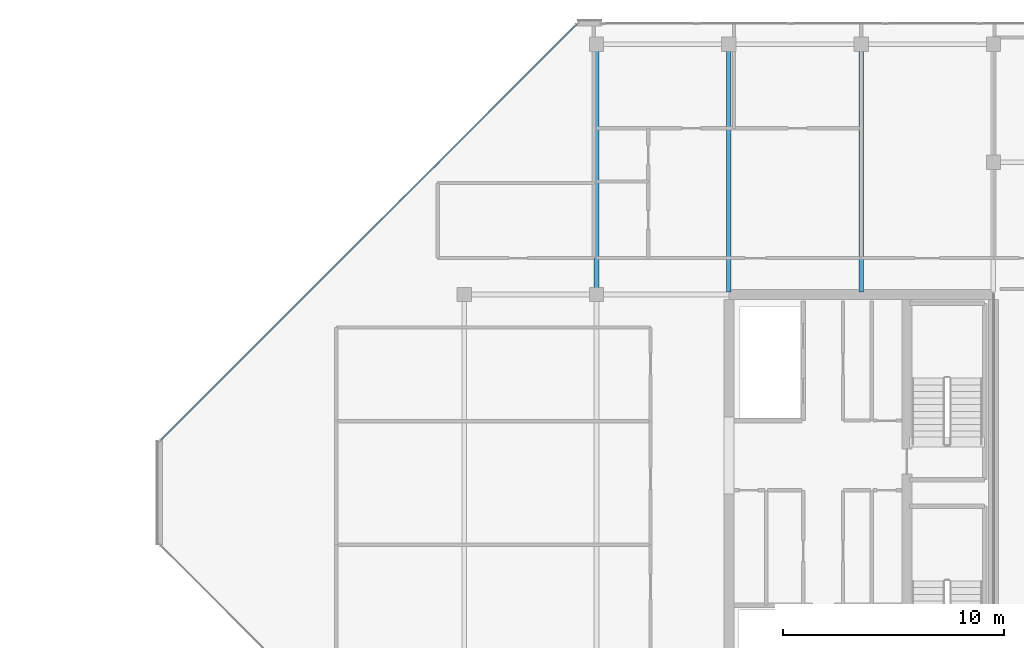
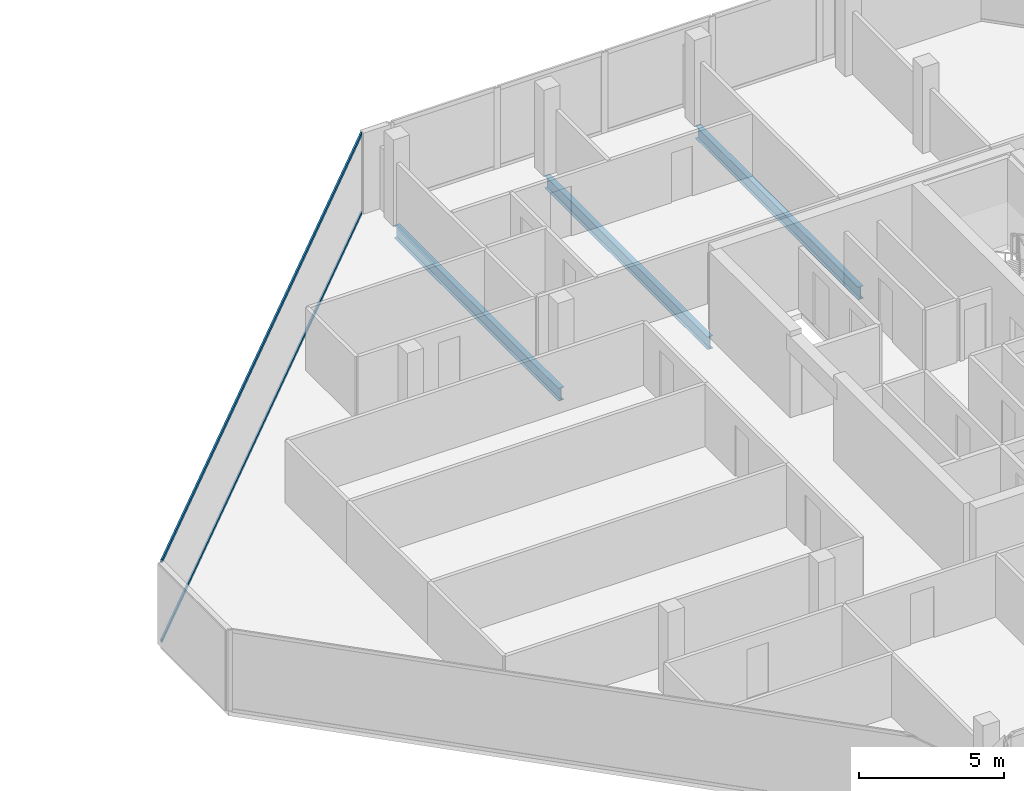
# One storey, part 14 of 30: 3 beams, 2 members, 1 element without a shape of its own.
"""IFC4 building model written with IfcOpenShell, lengths in metres."""

import ifcopenshell
import ifcopenshell.guid

model = None  # the IFC model being written
_history = None  # IfcOwnerHistory: only IFC2X3 demands one
_inside = {}  # id of a spatial element -> (the spatial element, [elements in it])
_under = {}  # id of a project, library or spatial element -> (it, [spatial elements below it])
_declared = {}  # id of a project -> (the project, [libraries it declares])
_typed = {}  # id of a type object -> (the type object, [elements of that type])
_made_of = {}  # id of a material, layer set ... -> (it, [elements and type objects made of it])


def new_model(schema):
    """Start an empty IFC model of exactly this schema.

    Asked for "IFC4X3", IfcOpenShell would pick the latest addendum, in which some entities
    have other attributes; the version numbers below select the first issue.
    IFC2X3 requires an IfcOwnerHistory on every rooted entity: one is made here for all.
    """
    global model, _history
    if schema == "IFC4X3":
        model = ifcopenshell.file(schema_version=(4, 3, 0, 0))
    else:
        model = ifcopenshell.file(schema=schema)
    _inside.clear()
    _under.clear()
    _declared.clear()
    _typed.clear()
    _made_of.clear()
    _history = None
    if model.schema == "IFC2X3":
        org = make("IfcOrganization", Name="unknown")
        user = make(
            "IfcPersonAndOrganization",
            ThePerson=make("IfcPerson", FamilyName="unknown"),
            TheOrganization=org,
        )
        app = make(
            "IfcApplication",
            ApplicationDeveloper=org,
            Version="unknown",
            ApplicationFullName="unknown",
            ApplicationIdentifier="unknown",
        )
        _history = make(
            "IfcOwnerHistory",
            OwningUser=user,
            OwningApplication=app,
            ChangeAction="ADDED",
            CreationDate=0,
        )
    return model


def make(cls, **values):
    """One entity of the class cls with the attributes given. An attribute that is None is left unset."""
    return model.create_entity(
        cls, **{name: value for name, value in values.items() if value is not None}
    )


def rooted(cls, **values):
    """An entity with a GlobalId (a new one), such as an element, a storey or a relation."""
    return make(cls, GlobalId=ifcopenshell.guid.new(), OwnerHistory=_history, **values)


def si_unit(unit_type, name, prefix=None):
    """IfcSIUnit, for example si_unit("LENGTHUNIT", "METRE", prefix="MILLI")."""
    return make("IfcSIUnit", UnitType=unit_type, Prefix=prefix, Name=name)


def assignment(units):
    """IfcUnitAssignment: the units of a project."""
    return None if units is None else make("IfcUnitAssignment", Units=units)


def point(xyz):
    """IfcCartesianPoint."""
    return None if xyz is None else make("IfcCartesianPoint", Coordinates=xyz)


def direction(xyz):
    """IfcDirection."""
    return None if xyz is None else make("IfcDirection", DirectionRatios=xyz)


def frame(location, z_axis=None, x_axis=None):
    """IfcAxis2Placement3D, a coordinate frame: its origin and axes. An axis left out is left unset."""
    return make(
        "IfcAxis2Placement3D",
        Location=point(location),
        Axis=direction(z_axis),
        RefDirection=direction(x_axis),
    )


def frame_2d(location, x_axis=None):
    """IfcAxis2Placement2D, a coordinate frame in the plane: its origin and x axis."""
    return make(
        "IfcAxis2Placement2D", Location=point(location), RefDirection=direction(x_axis)
    )


def origin():
    """The frame at (0, 0, 0) with its axes left unset."""
    return frame((0.0, 0.0, 0.0))


def origin_2d():
    """The frame at (0, 0) in the plane with its x axis left unset."""
    return frame_2d((0.0, 0.0))


def place(relative_to, where):
    """IfcLocalPlacement: puts the frame where relative to a parent placement (None: the world)."""
    return make(
        "IfcLocalPlacement", PlacementRelTo=relative_to, RelativePlacement=where
    )


def context(
    kind, dimensions, precision=None, world=None, true_north=None, identifier=None
):
    """IfcGeometricRepresentationContext, for example the 3D "Model" context."""
    return make(
        "IfcGeometricRepresentationContext",
        ContextIdentifier=identifier,
        ContextType=kind,
        CoordinateSpaceDimension=dimensions,
        Precision=precision,
        WorldCoordinateSystem=world,
        TrueNorth=true_north,
    )


def subcontext(parent, identifier, kind, view, scale=None):
    """IfcGeometricRepresentationSubContext, for example "Body" below "Model"."""
    return make(
        "IfcGeometricRepresentationSubContext",
        ContextIdentifier=identifier,
        ContextType=kind,
        ParentContext=parent,
        TargetScale=scale,
        TargetView=view,
    )


def project(units=None, contexts=None):
    """IfcProject with its units and contexts."""
    return rooted(
        "IfcProject",
        Name="project",
        RepresentationContexts=contexts,
        UnitsInContext=assignment(units),
    )


def spatial(cls, under=None, at=None, **own):
    """A site, building, storey or space (cls), placed at a placement, below another one or the project."""
    s = rooted(cls, ObjectPlacement=at, **own)
    if under is not None:
        _under.setdefault(under.id(), (under, []))[1].append(s)
    return s


def profile(cls, at=None, kind="AREA", **sizes):
    """A parametric profile (cls). Its sizes go by their IFC names, for example OverallWidth=200.0."""
    return make(cls, ProfileType=kind, Position=at, **sizes)


def hollow_rectangle(**sizes):
    """IfcRectangleHollowProfileDef."""
    return profile("IfcRectangleHollowProfileDef", **sizes)


def i_section(**sizes):
    """IfcIShapeProfileDef."""
    return profile("IfcIShapeProfileDef", **sizes)


def extrude(swept, where, along, depth):
    """IfcExtrudedAreaSolid: the profile swept, set in the frame where, extruded along a direction by depth."""
    return make(
        "IfcExtrudedAreaSolid",
        SweptArea=swept,
        Position=where,
        ExtrudedDirection=direction(along),
        Depth=depth,
    )


def shape(context_of_items, identifier, shape_type, items):
    """IfcShapeRepresentation: the items that make up one representation, for example the "Body"."""
    return make(
        "IfcShapeRepresentation",
        ContextOfItems=context_of_items,
        RepresentationIdentifier=identifier,
        RepresentationType=shape_type,
        Items=items,
    )


def material(Name=None, Category=None):
    """IfcMaterial."""
    return make("IfcMaterial", Name=Name, Category=Category)


def layer(
    of_material, thickness, ventilated=None, Name=None, Category=None, Priority=None
):
    """IfcMaterialLayer: one layer of a wall or slab, of a material (None: an air gap)."""
    return make(
        "IfcMaterialLayer",
        Material=of_material,
        LayerThickness=thickness,
        IsVentilated=ventilated,
        Name=Name,
        Category=Category,
        Priority=Priority,
    )


def layer_set(layers, Name=None):
    """IfcMaterialLayerSet."""
    return make("IfcMaterialLayerSet", MaterialLayers=layers, LayerSetName=Name)


def material_profile(
    of_material, cross_section, Name=None, Category=None, Priority=None
):
    """IfcMaterialProfile: a cross section and its material."""
    return make(
        "IfcMaterialProfile",
        Name=Name,
        Material=of_material,
        Profile=cross_section,
        Priority=Priority,
        Category=Category,
    )


def profile_set(profiles, Name=None, composite=None):
    """IfcMaterialProfileSet."""
    return make(
        "IfcMaterialProfileSet",
        Name=Name,
        MaterialProfiles=profiles,
        CompositeProfile=composite,
    )


def made_of(thing, what):
    """Note that an element or type object is made of a material, layer set ...; save() writes the relation."""
    if what is not None:
        _made_of.setdefault(what.id(), (what, []))[1].append(thing)
    return thing


def type_object(cls, material=None, **own):
    """A type object (cls), such as IfcWallType, which elements share."""
    return made_of(rooted(cls, **own), material)


def element(
    cls,
    number,
    at=None,
    inside=None,
    cuts=None,
    type_object=None,
    material=None,
    context=None,
    identifier="Body",
    shape_type=None,
    held_by="IfcProductDefinitionShape",
    body=None,
    shapes=None,
    **own,
):
    """One element of the class cls, such as IfcWall. Its Tag is "e" and its number.

    at: its placement. inside: the storey or other place that contains it. cuts: it is an
    opening in that element (IfcRelVoidsElement). A single representation is given by context,
    identifier, shape_type and body (its items); several are given by shapes. held_by: the class
    of the entity that holds the representations. save() writes the other relations.
    """
    e = rooted(cls, Tag="e%d" % number, ObjectPlacement=at, **own)
    if body is not None:
        shapes = [shape(context, identifier, shape_type, body)]
    if shapes is not None:
        e.Representation = make(held_by, Representations=shapes)
    if inside is not None:
        _inside.setdefault(inside.id(), (inside, []))[1].append(e)
    if cuts is not None:
        rooted(
            "IfcRelVoidsElement", RelatingBuildingElement=cuts, RelatedOpeningElement=e
        )
    if type_object is not None:
        _typed.setdefault(type_object.id(), (type_object, []))[1].append(e)
    return made_of(e, material)


def aggregate(whole, parts):
    """IfcRelAggregates: a whole, such as a stair, and the parts it consists of."""
    return rooted("IfcRelAggregates", RelatingObject=whole, RelatedObjects=parts)


def save(model, path):
    """Write the relations noted so far, then the file.

    IfcRelAggregates (storeys below a building ...), IfcRelContainedInSpatialStructure (elements
    in a storey), IfcRelDefinesByType, IfcRelAssociatesMaterial and IfcRelDeclares: one each for
    every whole, place, type object, material and project.
    """
    for whole, parts in _under.values():
        aggregate(whole, parts)
    for where, things in _inside.values():
        rooted(
            "IfcRelContainedInSpatialStructure",
            RelatedElements=things,
            RelatingStructure=where,
        )
    for kind, things in _typed.values():
        rooted("IfcRelDefinesByType", RelatedObjects=things, RelatingType=kind)
    for what, things in _made_of.values():
        rooted("IfcRelAssociatesMaterial", RelatedObjects=things, RelatingMaterial=what)
    for by, libraries in _declared.values():
        rooted("IfcRelDeclares", RelatingContext=by, RelatedDefinitions=libraries)
    model.write(path)


model = new_model("IFC4")

# Units and contexts
model_context = context("Model", 3, precision=1e-05, world=origin(), true_north=direction((0.0, 1.0)))
body_context = subcontext(model_context, "Body", "Model", "MODEL_VIEW")
ifc_project = project(units=[si_unit("LENGTHUNIT", "METRE"), si_unit("AREAUNIT", "SQUARE_METRE"), si_unit("VOLUMEUNIT", "CUBIC_METRE"), si_unit("PLANEANGLEUNIT", "RADIAN"), si_unit("MASSUNIT", "GRAM", prefix="KILO")], contexts=[model_context])

# Site, building, storey
site_placement = place(None, origin())
site = spatial("IfcSite", under=ifc_project, at=site_placement, CompositionType="ELEMENT")
building_placement = place(site_placement, origin())
building = spatial("IfcBuilding", under=site, at=building_placement, Name="Tanjung Sevakor Pilgrim Tower", CompositionType="ELEMENT")
storey_placement = place(building_placement, frame((0.0, 0.0, 253.43994140625)))
storey = spatial("IfcBuildingStorey", under=building, at=storey_placement, Name="L71", CompositionType="ELEMENT", Elevation=253.43994140625)

# Beams
ifc_material_1 = material(Name="Steel S355J2", Category="steel")
ifc_material_profile_1 = material_profile(ifc_material_1, i_section(OverallWidth=0.210693359375, OverallDepth=0.53955078125, WebThickness=0.01171875, FlangeThickness=0.018798828125, FilletRadius=0.0126953125, at=origin_2d()))
ifc_profile_set_1 = profile_set([ifc_material_profile_1], Name="Steel S355J2")
beam_type = type_object("IfcBeamType", Name="BM-B-G6-UB_533x210x109", PredefinedType="BEAM", material=ifc_profile_set_1)
beam_placement = place(storey_placement, frame((72.0, 42.60009765625, -0.48974609375), z_axis=(0.0, 1.0, 0.0), x_axis=(-1.0, 0.0, 0.0)))
element("IfcBeam", 1, at=beam_placement, inside=storey, type_object=beam_type, Name="L71 EAST Girder 004", PredefinedType="BEAM", context=body_context, shape_type="SweptSolid", body=[
    extrude(i_section(OverallWidth=0.210693359375, OverallDepth=0.53955078125, WebThickness=0.01171875, FlangeThickness=0.018798828125, FilletRadius=0.0126953125, at=origin_2d()), origin(), (0.0, 0.0, 1.0), 11.349853515625),
])
for number, where, z_axis, x_axis, name in (
    (2, (78.0, 42.7060546875, -0.48974609375), (0.0, 1.0, 0.0), (-1.0, 0.0, 0.0), "L71 EAST Girder 006"),
    (3, (84.0, 42.7060546875, -0.48974609375), (0.0, 1.0, 0.0), (-1.0, 0.0, 0.0), "L71 EAST Girder 008"),
):
    element("IfcBeam", number, at=place(storey_placement, frame(where, z_axis=z_axis, x_axis=x_axis)), inside=storey, type_object=beam_type, Name=name, PredefinedType="BEAM", context=body_context, shape_type="SweptSolid", body=[
        extrude(i_section(OverallWidth=0.210693359375, OverallDepth=0.53955078125, WebThickness=0.01171875, FlangeThickness=0.018798828125, FilletRadius=0.0126953125, at=origin_2d()), origin(), (0.0, 0.0, 1.0), 11.243896484375),
    ])

# Curtain wall, members
ifc_material_2 = material(Name="Aluminium 6063-T6 and Low-E Glass", Category="aluminium")
ifc_layer = layer(ifc_material_2, 0.179931640625)
ifc_layer_set = layer_set([ifc_layer], Name="CW-SYS-CHAM")
curtain_wall_type = type_object("IfcCurtainWallType", Name="CW-SYS-CHAM", PredefinedType="NOTDEFINED", material=ifc_layer_set)
curtain_wall_placement = place(storey_placement, origin())
curtain_wall = element("IfcCurtainWall", 4, at=curtain_wall_placement, inside=storey, type_object=curtain_wall_type, Name="L71 Curtain Wall CW-CHM-L71-EAST-5", PredefinedType="NOTDEFINED")
ifc_material_3 = material(Name="Aluminium 6063-T6", Category="aluminium")
ifc_material_profile_2 = material_profile(ifc_material_3, hollow_rectangle(XDim=0.06494140625, YDim=0.139892578125, WallThickness=0.00390625, at=origin_2d()))
ifc_profile_set_2 = profile_set([ifc_material_profile_2], Name="Aluminium 6063-T6")
member_type = type_object("IfcMemberType", Name="TYPE-CWT-1", PredefinedType="USERDEFINED", material=ifc_profile_set_2)
member_1_placement = place(storey_placement, frame((71.099609375, 54.843994140625, 0.032470703125), z_axis=(-0.707106781187, -0.707106781187, 0.0), x_axis=(0.707106781187, -0.707106781187, 0.0)))
member_1 = element("IfcMember", 5, at=member_1_placement, type_object=member_type, Name="CW-CHM transom 1.1", ObjectType="TRANSOM", PredefinedType="USERDEFINED", context=body_context, shape_type="SweptSolid", body=[
    extrude(hollow_rectangle(XDim=0.06494140625, YDim=0.139892578125, WallThickness=0.00390625, at=origin_2d()), origin(), (0.0, 0.0, 1.0), 26.649169921875),
])
member_2_placement = place(storey_placement, frame((71.099609375, 54.843994140625, 3.37744140625), z_axis=(-0.707106781187, -0.707106781187, 0.0), x_axis=(0.707106781187, -0.707106781187, 0.0)))
member_2 = element("IfcMember", 6, at=member_2_placement, type_object=member_type, Name="CW-CHM transom 1.2", ObjectType="TRANSOM", PredefinedType="USERDEFINED", context=body_context, shape_type="SweptSolid", body=[
    extrude(hollow_rectangle(XDim=0.06494140625, YDim=0.139892578125, WallThickness=0.00390625, at=origin_2d()), origin(), (0.0, 0.0, 1.0), 26.649169921875),
])
aggregate(curtain_wall, [member_1, member_2])

save(model, "model.ifc")
